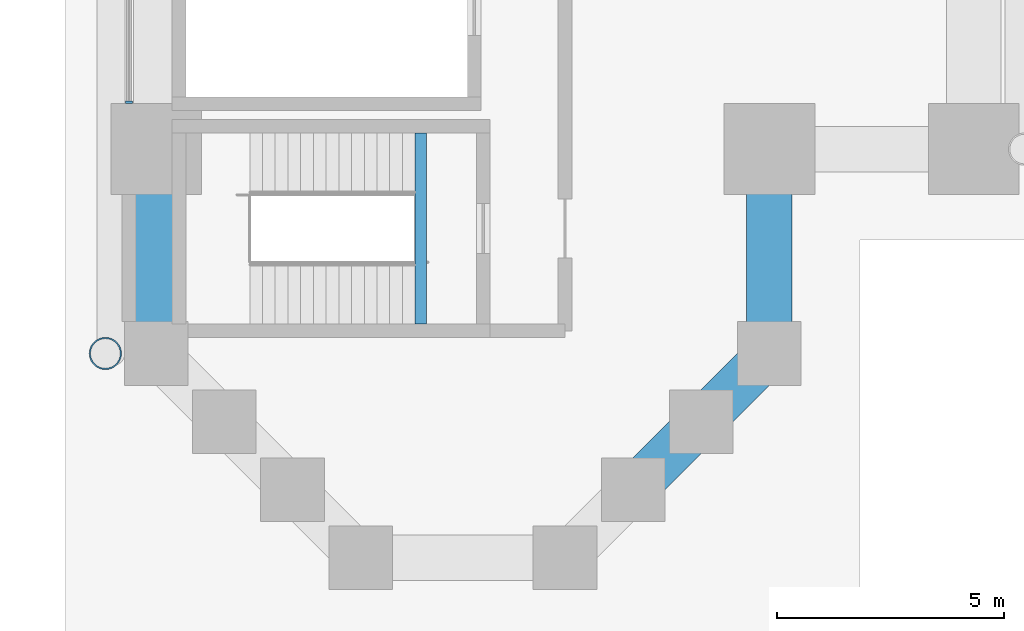
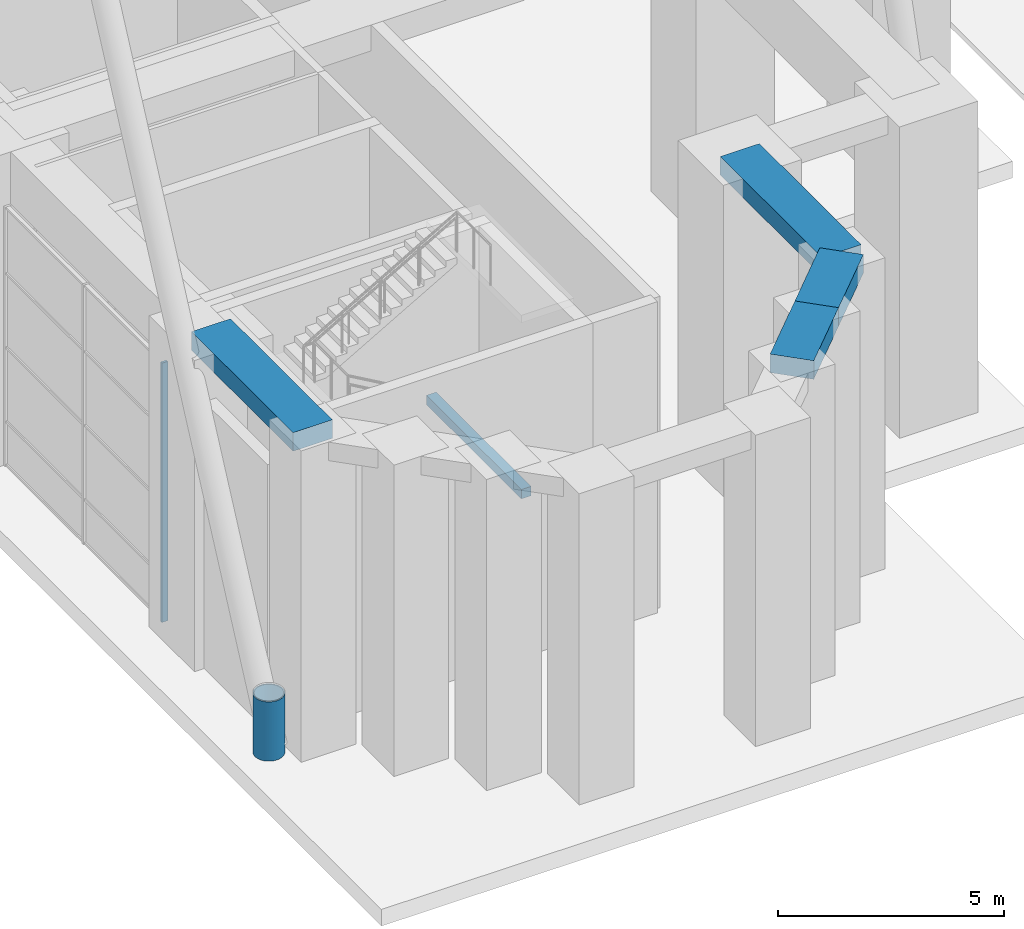
# One storey, part 2 of 44: 5 beams, 2 members, 1 element without a shape of its own.
"""IFC4 building model written with IfcOpenShell, lengths in metres."""

from ifc_helpers import new_model, si_unit, direction, frame, origin, origin_2d, place, context, subcontext, project, spatial, rectangle, hollow_circle, extrude, material, material_profile, profile_set, type_object, element, aggregate, save


model = new_model("IFC4")

# Units and contexts
model_context = context("Model", 3, precision=1e-05, world=origin(), true_north=direction((0.0, 1.0)))
body_context = subcontext(model_context, "Body", "Model", "MODEL_VIEW")
ifc_project = project(units=[si_unit("LENGTHUNIT", "METRE"), si_unit("AREAUNIT", "SQUARE_METRE"), si_unit("VOLUMEUNIT", "CUBIC_METRE"), si_unit("PLANEANGLEUNIT", "RADIAN"), si_unit("MASSUNIT", "GRAM", prefix="KILO")], contexts=[model_context])

# Site, building, storey
site_placement = place(None, origin())
site = spatial("IfcSite", under=ifc_project, at=site_placement, CompositionType="ELEMENT")
building_placement = place(site_placement, origin())
building = spatial("IfcBuilding", under=site, at=building_placement, Name="Firuza Court", CompositionType="ELEMENT")
storey_placement = place(building_placement, origin())
storey = spatial("IfcBuildingStorey", under=building, at=storey_placement, Name="L00", CompositionType="ELEMENT", Elevation=0.0)

# Member
ifc_material_1 = material(Name="Steel S355", Category="steel")
ifc_material_profile_1 = material_profile(ifc_material_1, hollow_circle(Radius=0.35546875, WallThickness=0.030029296875, at=origin_2d()), Name="CHS 711x30")
ifc_profile_set_1 = profile_set([ifc_material_profile_1], Name="Steel S355")
member_type_1 = type_object("IfcMemberType", Name="Diagrid node CHS 711x30 S355", PredefinedType="USERDEFINED", material=ifc_profile_set_1)
member_1_placement = place(storey_placement, frame((-1.1201171875, 4.5, 0.0), z_axis=(0.0, 0.0, 1.0), x_axis=(1.0, 0.0, 0.0)))
element("IfcMember", 1, at=member_1_placement, inside=storey, type_object=member_type_1, Name="Diagrid node level L00", ObjectType="DIAGRID NODE", PredefinedType="USERDEFINED", context=body_context, shape_type="SweptSolid", body=[
    extrude(hollow_circle(Radius=0.35546875, WallThickness=0.030029296875, at=origin_2d()), origin(), (0.0, 0.0, 1.0), 1.60009765625),
])

# Beam
ifc_material_2 = material(Name="Concrete C40/50", Category="concrete")
ifc_material_profile_2 = material_profile(ifc_material_2, rectangle(XDim=0.25, YDim=0.25, at=origin_2d()), Name="RC 250x250")
ifc_profile_set_2 = profile_set([ifc_material_profile_2], Name="Concrete C40/50")
beam_type_1 = type_object("IfcBeamType", Name="Landing beam RC 250x250 C40/50", PredefinedType="BEAM", material=ifc_profile_set_2)
beam_1_placement = place(storey_placement, frame((5.824951171875, 5.14990234375, 4.175048828125), z_axis=(0.0, 1.0, 0.0), x_axis=(-1.0, 0.0, 0.0)))
element("IfcBeam", 2, at=beam_1_placement, inside=storey, type_object=beam_type_1, Name="Landing beam S5 L00", PredefinedType="BEAM", context=body_context, shape_type="SweptSolid", body=[
    extrude(rectangle(XDim=0.25, YDim=0.25, at=origin_2d()), origin(), (0.0, 0.0, 1.0), 4.2001953125),
])

# Curtain wall, member
ifc_material_3 = material(Name="Aluminium curtain wall, triple clear glazing", Category="aluminium")
curtain_wall_type = type_object("IfcCurtainWallType", Name="Ground lobby stick shopfront CW2", PredefinedType="NOTDEFINED", material=ifc_material_3)
curtain_wall_placement = place(storey_placement, origin())
curtain_wall = element("IfcCurtainWall", 3, at=curtain_wall_placement, inside=storey, type_object=curtain_wall_type, Name="Ground lobby stick shopfront CW2 L00", PredefinedType="NOTDEFINED")
ifc_material_4 = material(Name="Aluminium EN AW-6060 T66", Category="aluminium")
ifc_material_profile_3 = material_profile(ifc_material_4, rectangle(XDim=0.14990234375, YDim=0.06005859375, at=origin_2d()), Name="Mullion 150 x 60 CW2")
ifc_profile_set_3 = profile_set([ifc_material_profile_3], Name="Aluminium EN AW-6060 T66")
member_type_2 = type_object("IfcMemberType", Name="Mullion 150 x 60 CW2", PredefinedType="MULLION", material=ifc_profile_set_3)
member_2_placement = place(storey_placement, frame((-0.60009765625, 10.030029296875, 0.0), z_axis=(0.0, 0.0, 1.0), x_axis=(1.0, 0.0, 0.0)))
member_2 = element("IfcMember", 4, at=member_2_placement, type_object=member_type_2, Name="CW2 mullion 3", PredefinedType="MULLION", context=body_context, shape_type="SweptSolid", body=[
    extrude(rectangle(XDim=0.14990234375, YDim=0.06005859375, at=origin_2d()), origin(), (0.0, 0.0, 1.0), 7.0),
])
aggregate(curtain_wall, [member_2])

# Beams
ifc_material_5 = material(Name="Concrete C40/50", Category="concrete")
ifc_material_profile_4 = material_profile(ifc_material_5, rectangle(XDim=1.0, YDim=0.5, at=origin_2d()), Name="RC 1000x500")
ifc_profile_set_4 = profile_set([ifc_material_profile_4], Name="Concrete C40/50")
beam_type_2 = type_object("IfcBeamType", Name="Spandrel beam RC 1000x500 C40/50", PredefinedType="BEAM", material=ifc_profile_set_4)
beam_2_placement = place(storey_placement, frame((0.0, 9.0, 8.14990234375), z_axis=(0.0, -1.0, 0.0), x_axis=(1.0, 0.0, 0.0)))
element("IfcBeam", 5, at=beam_2_placement, inside=storey, type_object=beam_type_2, Name="Spandrel beam SP7 level L01", PredefinedType="BEAM", context=body_context, shape_type="SweptSolid", body=[
    extrude(rectangle(XDim=1.0, YDim=0.5, at=origin_2d()), origin(), (0.0, 0.0, 1.0), 4.5),
])
for number, where, z_axis, x_axis, name in (
    (6, (10.5, 1.5, 8.14990234375), (0.707106781187, 0.707106781187, 0.0), (-0.707106781187, 0.707106781187, 0.0), "Spandrel beam SP7 level L01"),
    (7, (12.0, 3.0, 8.14990234375), (0.707106781187, 0.707106781187, 0.0), (-0.707106781187, 0.707106781187, 0.0), "Spandrel beam SP7 level L01"),
):
    element("IfcBeam", number, at=place(storey_placement, frame(where, z_axis=z_axis, x_axis=x_axis)), inside=storey, type_object=beam_type_2, Name=name, PredefinedType="BEAM", context=body_context, shape_type="SweptSolid", body=[
        extrude(rectangle(XDim=1.0, YDim=0.5, at=origin_2d()), origin(), (0.0, 0.0, 1.0), 2.121337890625),
    ])
beam_3_placement = place(storey_placement, frame((13.5, 4.5, 8.14990234375), z_axis=(0.0, 1.0, 0.0), x_axis=(-1.0, 0.0, 0.0)))
element("IfcBeam", 8, at=beam_3_placement, inside=storey, type_object=beam_type_2, Name="Spandrel beam SP7 level L01", PredefinedType="BEAM", context=body_context, shape_type="SweptSolid", body=[
    extrude(rectangle(XDim=1.0, YDim=0.5, at=origin_2d()), origin(), (0.0, 0.0, 1.0), 4.5),
])

save(model, "model.ifc")
